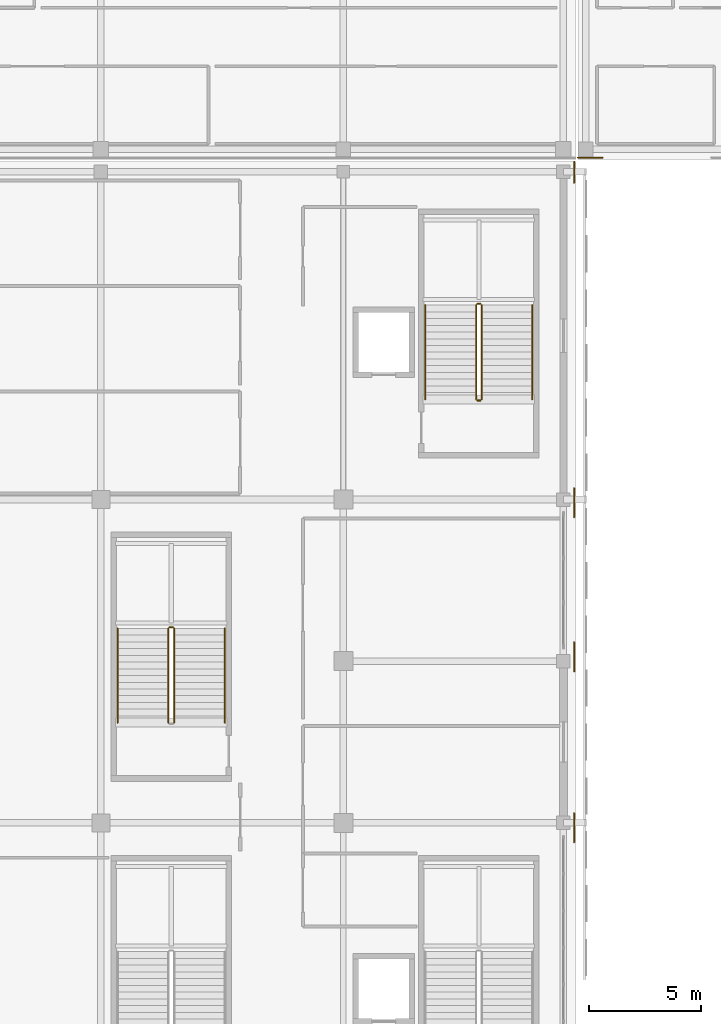
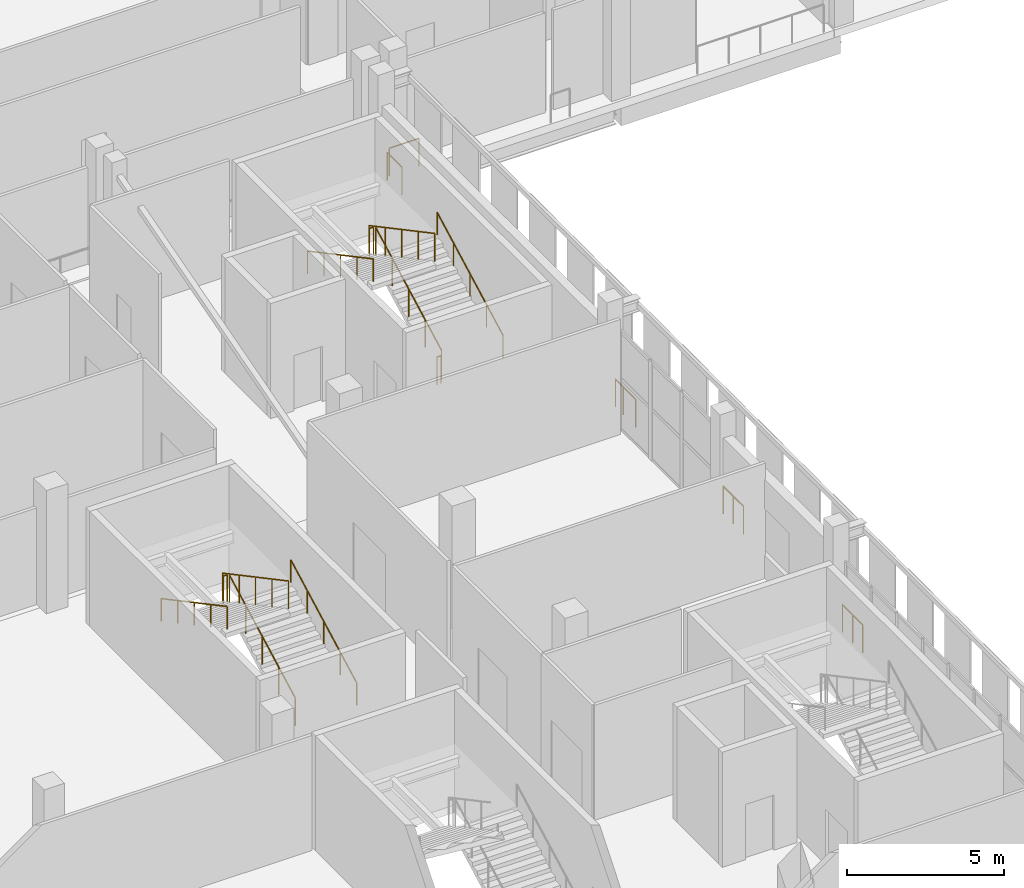
# One storey, part 135 of 142: 17 railings.
"""IFC4 building model written with IfcOpenShell, lengths in metres."""

from ifc_helpers import new_model, si_unit, direction, frame, origin, origin_2d, place, context, subcontext, project, spatial, circle, extrude, material, type_object, element, save


model = new_model("IFC4")

# Units and contexts
model_context = context("Model", 3, precision=1e-05, world=origin(), true_north=direction((0.0, 1.0)))
body_context = subcontext(model_context, "Body", "Model", "MODEL_VIEW")
ifc_project = project(units=[si_unit("LENGTHUNIT", "METRE"), si_unit("AREAUNIT", "SQUARE_METRE"), si_unit("VOLUMEUNIT", "CUBIC_METRE"), si_unit("PLANEANGLEUNIT", "RADIAN"), si_unit("MASSUNIT", "GRAM", prefix="KILO")], contexts=[model_context])

# Site, building, storey
site_placement = place(None, origin())
site = spatial("IfcSite", under=ifc_project, at=site_placement, CompositionType="ELEMENT")
building_placement = place(site_placement, origin())
building = spatial("IfcBuilding", under=site, at=building_placement, Name="Koshinbarg Plaza Stadium", CompositionType="ELEMENT")
storey_placement = place(building_placement, frame((0.0, 0.0, 10.199951171875)))
storey = spatial("IfcBuildingStorey", under=building, at=storey_placement, Name="L02", CompositionType="ELEMENT", Elevation=10.199951171875)

# Railings
ifc_material_1 = material(Name="Toughened laminated glass and stainless steel sightline balustrade", Category="steel")
railing_type_1 = type_object("IfcRailingType", Name="RL-BOWL-1100", PredefinedType="BALUSTRADE", material=ifc_material_1)
railing_1_placement = place(storey_placement, frame((218.875, 111.89990234375, 0.0)))
element("IfcRailing", 1, at=railing_1_placement, inside=storey, type_object=railing_type_1, Name="L02 deck edge safety balustrade 0148", PredefinedType="BALUSTRADE", context=body_context, shape_type="SweptSolid", body=[
    extrude(circle(Radius=0.02392578125, at=origin_2d()), frame((0.0, 0.0, 1.076171875), z_axis=(0.0, -1.0, 0.0), x_axis=(1.0, 0.0, 0.0)), (0.0, 0.0, 1.0), 0.796875),
    extrude(circle(Radius=0.02099609375, at=origin_2d()), origin(), (0.0, 0.0, 1.0), 1.052001953125),
    extrude(circle(Radius=0.02099609375, at=origin_2d()), frame((0.0, -0.796875, 0.0)), (0.0, 0.0, 1.0), 1.052001953125),
])
railing_2_placement = place(storey_placement, frame((218.875, 105.5341796875, 0.0)))
element("IfcRailing", 2, at=railing_2_placement, inside=storey, type_object=railing_type_1, Name="L02 deck edge safety balustrade 0149", PredefinedType="BALUSTRADE", context=body_context, shape_type="SweptSolid", body=[
    extrude(circle(Radius=0.02392578125, at=origin_2d()), frame((0.0, 0.0, 1.076171875), z_axis=(0.0, -1.0, 0.0), x_axis=(1.0, 0.0, 0.0)), (0.0, 0.0, 1.0), 1.295166015625),
    extrude(circle(Radius=0.02099609375, at=origin_2d()), origin(), (0.0, 0.0, 1.0), 1.052001953125),
    extrude(circle(Radius=0.02099609375, at=origin_2d()), frame((0.0, -0.6474609375, 0.0)), (0.0, 0.0, 1.0), 1.052001953125),
    extrude(circle(Radius=0.02099609375, at=origin_2d()), frame((0.0, -1.295166015625, 0.0)), (0.0, 0.0, 1.0), 1.052001953125),
])
railing_3_placement = place(storey_placement, frame((218.875, 97.923828125, 0.0)))
element("IfcRailing", 3, at=railing_3_placement, inside=storey, type_object=railing_type_1, Name="L02 deck edge safety balustrade 0150", PredefinedType="BALUSTRADE", context=body_context, shape_type="SweptSolid", body=[
    extrude(circle(Radius=0.02392578125, at=origin_2d()), frame((0.0, 0.0, 1.076171875), z_axis=(0.0, -1.0, 0.0), x_axis=(1.0, 0.0, 0.0)), (0.0, 0.0, 1.0), 1.29541015625),
    extrude(circle(Radius=0.02099609375, at=origin_2d()), origin(), (0.0, 0.0, 1.0), 1.052001953125),
    extrude(circle(Radius=0.02099609375, at=origin_2d()), frame((0.0, -0.647705078125, 0.0)), (0.0, 0.0, 1.0), 1.052001953125),
    extrude(circle(Radius=0.02099609375, at=origin_2d()), frame((0.0, -1.29541015625, 0.0)), (0.0, 0.0, 1.0), 1.052001953125),
])
railing_4_placement = place(storey_placement, frame((218.875, 126.955078125, 0.0)))
element("IfcRailing", 4, at=railing_4_placement, inside=storey, type_object=railing_type_1, Name="L02 deck edge safety balustrade 0154", PredefinedType="BALUSTRADE", context=body_context, shape_type="SweptSolid", body=[
    extrude(circle(Radius=0.02392578125, at=origin_2d()), frame((0.0, 0.0, 1.076171875), z_axis=(0.0, -1.0, 0.0), x_axis=(1.0, 0.0, 0.0)), (0.0, 0.0, 1.0), 0.9453125),
    extrude(circle(Radius=0.02099609375, at=origin_2d()), origin(), (0.0, 0.0, 1.0), 1.052001953125),
    extrude(circle(Radius=0.02099609375, at=origin_2d()), frame((0.0, -0.9453125, 0.0)), (0.0, 0.0, 1.0), 1.052001953125),
])
railing_5_placement = place(storey_placement, frame((218.875, 112.398193359375, 0.0)))
element("IfcRailing", 5, at=railing_5_placement, inside=storey, type_object=railing_type_1, Name="L02 deck edge safety balustrade 0155", PredefinedType="BALUSTRADE", context=body_context, shape_type="SweptSolid", body=[
    extrude(circle(Radius=0.02392578125, at=origin_2d()), frame((0.0, 0.0, 1.076171875), z_axis=(0.0, -1.0, 0.0), x_axis=(1.0, 0.0, 0.0)), (0.0, 0.0, 1.0), 0.498291015625),
    extrude(circle(Radius=0.02099609375, at=origin_2d()), origin(), (0.0, 0.0, 1.0), 1.052001953125),
    extrude(circle(Radius=0.02099609375, at=origin_2d()), frame((0.0, -0.498291015625, 0.0)), (0.0, 0.0, 1.0), 1.052001953125),
])
railing_6_placement = place(storey_placement, frame((220.144287109375, 127.125, 0.0)))
element("IfcRailing", 6, at=railing_6_placement, inside=storey, type_object=railing_type_1, Name="L02 deck edge safety balustrade 0178", PredefinedType="BALUSTRADE", context=body_context, shape_type="SweptSolid", body=[
    extrude(circle(Radius=0.02392578125, at=origin_2d()), frame((0.0, 0.0, 1.076171875), z_axis=(-1.0, 0.0, 0.0), x_axis=(0.0, -1.0, 0.0)), (0.0, 0.0, 1.0), 1.099365234375),
    extrude(circle(Radius=0.02099609375, at=origin_2d()), origin(), (0.0, 0.0, 1.0), 1.052001953125),
    extrude(circle(Radius=0.02099609375, at=origin_2d()), frame((-1.099365234375, 0.0, 0.0)), (0.0, 0.0, 1.0), 1.052001953125),
])
ifc_material_2 = material(Name="Galvanized painted steel guardrail", Category="steel")
railing_type_2 = type_object("IfcRailingType", Name="RL-GUARD-1100", PredefinedType="GUARDRAIL", material=ifc_material_2)
railing_7_placement = place(storey_placement, frame((214.760009765625, 116.360107421875, 0.16015625)))
element("IfcRailing", 7, at=railing_7_placement, inside=storey, type_object=railing_type_2, Name="L02 C10 stair guard 1", PredefinedType="GUARDRAIL", context=body_context, shape_type="SweptSolid", body=[
    extrude(circle(Radius=0.02392578125, at=origin_2d()), frame((0.0, 0.0, 1.076171875), z_axis=(0.0, 0.882351521365, 0.470590897432), x_axis=(-1.0, 0.0, 0.0)), (0.0, 0.0, 1.0), 4.760009765625),
    extrude(circle(Radius=0.02099609375, at=origin_2d()), origin(), (0.0, 0.0, 1.0), 1.052001953125),
    extrude(circle(Radius=0.02099609375, at=origin_2d()), frame((0.0, 1.050048828125, 0.56005859375)), (0.0, 0.0, 1.0), 1.052001953125),
    extrude(circle(Radius=0.02099609375, at=origin_2d()), frame((0.0, 2.10009765625, 1.1201171875)), (0.0, 0.0, 1.0), 1.052001953125),
    extrude(circle(Radius=0.02099609375, at=origin_2d()), frame((0.0, 3.14990234375, 1.679931640625)), (0.0, 0.0, 1.0), 1.052001953125),
    extrude(circle(Radius=0.02099609375, at=origin_2d()), frame((0.0, 4.199951171875, 2.239990234375)), (0.0, 0.0, 1.0), 1.052001953125),
])
railing_8_placement = place(storey_placement, frame((214.7099609375, 120.610107421875, 2.400146484375)))
element("IfcRailing", 8, at=railing_8_placement, inside=storey, type_object=railing_type_2, Name="L02 C10 stair guard 2", PredefinedType="GUARDRAIL", context=body_context, shape_type="SweptSolid", body=[
    extrude(circle(Radius=0.02392578125, at=origin_2d()), frame((0.0, 0.0, 1.076171875), z_axis=(-1.0, 0.0, 0.0), x_axis=(0.0, -1.0, 0.0)), (0.0, 0.0, 1.0), 0.14990234375),
    extrude(circle(Radius=0.02099609375, at=origin_2d()), origin(), (0.0, 0.0, 1.0), 1.052001953125),
    extrude(circle(Radius=0.02099609375, at=origin_2d()), frame((-0.14990234375, 0.0, 0.0)), (0.0, 0.0, 1.0), 1.052001953125),
])
railing_9_placement = place(storey_placement, frame((214.510009765625, 120.56005859375, 2.56005859375)))
element("IfcRailing", 9, at=railing_9_placement, inside=storey, type_object=railing_type_2, Name="L02 C10 stair guard 3", PredefinedType="GUARDRAIL", context=body_context, shape_type="SweptSolid", body=[
    extrude(circle(Radius=0.02392578125, at=origin_2d()), frame((0.0, 0.0, 1.076171875), z_axis=(0.0, -0.882351521365, 0.470590897432), x_axis=(1.0, 0.0, 0.0)), (0.0, 0.0, 1.0), 4.760009765625),
    extrude(circle(Radius=0.02099609375, at=origin_2d()), origin(), (0.0, 0.0, 1.0), 1.052001953125),
    extrude(circle(Radius=0.02099609375, at=origin_2d()), frame((0.0, -1.050048828125, 0.56005859375)), (0.0, 0.0, 1.0), 1.052001953125),
    extrude(circle(Radius=0.02099609375, at=origin_2d()), frame((0.0, -2.10009765625, 1.1201171875)), (0.0, 0.0, 1.0), 1.052001953125),
    extrude(circle(Radius=0.02099609375, at=origin_2d()), frame((0.0, -3.14990234375, 1.679931640625)), (0.0, 0.0, 1.0), 1.052001953125),
    extrude(circle(Radius=0.02099609375, at=origin_2d()), frame((0.0, -4.199951171875, 2.239990234375)), (0.0, 0.0, 1.0), 1.052001953125),
])
railing_10_placement = place(storey_placement, frame((214.7099609375, 116.31005859375, 0.0)))
element("IfcRailing", 10, at=railing_10_placement, inside=storey, type_object=railing_type_2, Name="L02 C10 stair guard 4", PredefinedType="GUARDRAIL", context=body_context, shape_type="SweptSolid", body=[
    extrude(circle(Radius=0.02392578125, at=origin_2d()), frame((0.0, 0.0, 1.076171875), z_axis=(-1.0, 0.0, 0.0), x_axis=(0.0, -1.0, 0.0)), (0.0, 0.0, 1.0), 0.14990234375),
    extrude(circle(Radius=0.02099609375, at=origin_2d()), origin(), (0.0, 0.0, 1.0), 1.052001953125),
    extrude(circle(Radius=0.02099609375, at=origin_2d()), frame((-0.14990234375, 0.0, 0.0)), (0.0, 0.0, 1.0), 1.052001953125),
])
railing_11_placement = place(storey_placement, frame((201.06005859375, 101.9599609375, 0.16015625)))
element("IfcRailing", 11, at=railing_11_placement, inside=storey, type_object=railing_type_2, Name="L02 VX12 stair guard 1", PredefinedType="GUARDRAIL", context=body_context, shape_type="SweptSolid", body=[
    extrude(circle(Radius=0.02392578125, at=origin_2d()), frame((0.0, 0.0, 1.076171875), z_axis=(0.0, 0.882351521365, 0.470590897432), x_axis=(-1.0, 0.0, 0.0)), (0.0, 0.0, 1.0), 4.760009765625),
    extrude(circle(Radius=0.02099609375, at=origin_2d()), origin(), (0.0, 0.0, 1.0), 1.052001953125),
    extrude(circle(Radius=0.02099609375, at=origin_2d()), frame((0.0, 1.050048828125, 0.56005859375)), (0.0, 0.0, 1.0), 1.052001953125),
    extrude(circle(Radius=0.02099609375, at=origin_2d()), frame((0.0, 2.10009765625, 1.1201171875)), (0.0, 0.0, 1.0), 1.052001953125),
    extrude(circle(Radius=0.02099609375, at=origin_2d()), frame((0.0, 3.14990234375, 1.679931640625)), (0.0, 0.0, 1.0), 1.052001953125),
    extrude(circle(Radius=0.02099609375, at=origin_2d()), frame((0.0, 4.199951171875, 2.239990234375)), (0.0, 0.0, 1.0), 1.052001953125),
])
railing_12_placement = place(storey_placement, frame((201.010009765625, 106.2099609375, 2.400146484375)))
element("IfcRailing", 12, at=railing_12_placement, inside=storey, type_object=railing_type_2, Name="L02 VX12 stair guard 2", PredefinedType="GUARDRAIL", context=body_context, shape_type="SweptSolid", body=[
    extrude(circle(Radius=0.02392578125, at=origin_2d()), frame((0.0, 0.0, 1.076171875), z_axis=(-1.0, 0.0, 0.0), x_axis=(0.0, -1.0, 0.0)), (0.0, 0.0, 1.0), 0.14990234375),
    extrude(circle(Radius=0.02099609375, at=origin_2d()), origin(), (0.0, 0.0, 1.0), 1.052001953125),
    extrude(circle(Radius=0.02099609375, at=origin_2d()), frame((-0.14990234375, 0.0, 0.0)), (0.0, 0.0, 1.0), 1.052001953125),
])
railing_13_placement = place(storey_placement, frame((200.81005859375, 106.159912109375, 2.56005859375)))
element("IfcRailing", 13, at=railing_13_placement, inside=storey, type_object=railing_type_2, Name="L02 VX12 stair guard 3", PredefinedType="GUARDRAIL", context=body_context, shape_type="SweptSolid", body=[
    extrude(circle(Radius=0.02392578125, at=origin_2d()), frame((0.0, 0.0, 1.076171875), z_axis=(0.0, -0.882351521365, 0.470590897432), x_axis=(1.0, 0.0, 0.0)), (0.0, 0.0, 1.0), 4.760009765625),
    extrude(circle(Radius=0.02099609375, at=origin_2d()), origin(), (0.0, 0.0, 1.0), 1.052001953125),
    extrude(circle(Radius=0.02099609375, at=origin_2d()), frame((0.0, -1.050048828125, 0.56005859375)), (0.0, 0.0, 1.0), 1.052001953125),
    extrude(circle(Radius=0.02099609375, at=origin_2d()), frame((0.0, -2.10009765625, 1.1201171875)), (0.0, 0.0, 1.0), 1.052001953125),
    extrude(circle(Radius=0.02099609375, at=origin_2d()), frame((0.0, -3.14990234375, 1.679931640625)), (0.0, 0.0, 1.0), 1.052001953125),
    extrude(circle(Radius=0.02099609375, at=origin_2d()), frame((0.0, -4.199951171875, 2.239990234375)), (0.0, 0.0, 1.0), 1.052001953125),
])
ifc_material_3 = material(Name="Brushed stainless steel handrail", Category="steel")
railing_type_3 = type_object("IfcRailingType", Name="RL-HAND-900", PredefinedType="HANDRAIL", material=ifc_material_3)
railing_14_placement = place(storey_placement, frame((217.02001953125, 116.360107421875, 0.16015625)))
element("IfcRailing", 14, at=railing_14_placement, inside=storey, type_object=railing_type_3, Name="L02 C10 stair handrail 1", PredefinedType="HANDRAIL", context=body_context, shape_type="SweptSolid", body=[
    extrude(circle(Radius=0.02392578125, at=origin_2d()), frame((0.0, 0.0, 0.8759765625), z_axis=(0.0, 0.882351521365, 0.470590897432), x_axis=(-1.0, 0.0, 0.0)), (0.0, 0.0, 1.0), 4.760009765625),
    extrude(circle(Radius=0.02099609375, at=origin_2d()), origin(), (0.0, 0.0, 1.0), 0.851806640625),
    extrude(circle(Radius=0.02099609375, at=origin_2d()), frame((0.0, 1.050048828125, 0.56005859375)), (0.0, 0.0, 1.0), 0.851806640625),
    extrude(circle(Radius=0.02099609375, at=origin_2d()), frame((0.0, 2.10009765625, 1.1201171875)), (0.0, 0.0, 1.0), 0.851806640625),
    extrude(circle(Radius=0.02099609375, at=origin_2d()), frame((0.0, 3.14990234375, 1.679931640625)), (0.0, 0.0, 1.0), 0.851806640625),
    extrude(circle(Radius=0.02099609375, at=origin_2d()), frame((0.0, 4.199951171875, 2.239990234375)), (0.0, 0.0, 1.0), 0.851806640625),
])
railing_15_placement = place(storey_placement, frame((212.25, 120.56005859375, 2.56005859375)))
element("IfcRailing", 15, at=railing_15_placement, inside=storey, type_object=railing_type_3, Name="L02 C10 stair handrail 2", PredefinedType="HANDRAIL", context=body_context, shape_type="SweptSolid", body=[
    extrude(circle(Radius=0.02392578125, at=origin_2d()), frame((0.0, 0.0, 0.8759765625), z_axis=(0.0, -0.882351521365, 0.470590897432), x_axis=(1.0, 0.0, 0.0)), (0.0, 0.0, 1.0), 4.760009765625),
    extrude(circle(Radius=0.02099609375, at=origin_2d()), origin(), (0.0, 0.0, 1.0), 0.851806640625),
    extrude(circle(Radius=0.02099609375, at=origin_2d()), frame((0.0, -1.050048828125, 0.56005859375)), (0.0, 0.0, 1.0), 0.851806640625),
    extrude(circle(Radius=0.02099609375, at=origin_2d()), frame((0.0, -2.10009765625, 1.1201171875)), (0.0, 0.0, 1.0), 0.851806640625),
    extrude(circle(Radius=0.02099609375, at=origin_2d()), frame((0.0, -3.14990234375, 1.679931640625)), (0.0, 0.0, 1.0), 0.851806640625),
    extrude(circle(Radius=0.02099609375, at=origin_2d()), frame((0.0, -4.199951171875, 2.239990234375)), (0.0, 0.0, 1.0), 0.851806640625),
])
railing_16_placement = place(storey_placement, frame((203.320068359375, 101.9599609375, 0.16015625)))
element("IfcRailing", 16, at=railing_16_placement, inside=storey, type_object=railing_type_3, Name="L02 VX12 stair handrail 1", PredefinedType="HANDRAIL", context=body_context, shape_type="SweptSolid", body=[
    extrude(circle(Radius=0.02392578125, at=origin_2d()), frame((0.0, 0.0, 0.8759765625), z_axis=(0.0, 0.882351521365, 0.470590897432), x_axis=(-1.0, 0.0, 0.0)), (0.0, 0.0, 1.0), 4.760009765625),
    extrude(circle(Radius=0.02099609375, at=origin_2d()), origin(), (0.0, 0.0, 1.0), 0.851806640625),
    extrude(circle(Radius=0.02099609375, at=origin_2d()), frame((0.0, 1.050048828125, 0.56005859375)), (0.0, 0.0, 1.0), 0.851806640625),
    extrude(circle(Radius=0.02099609375, at=origin_2d()), frame((0.0, 2.10009765625, 1.1201171875)), (0.0, 0.0, 1.0), 0.851806640625),
    extrude(circle(Radius=0.02099609375, at=origin_2d()), frame((0.0, 3.14990234375, 1.679931640625)), (0.0, 0.0, 1.0), 0.851806640625),
    extrude(circle(Radius=0.02099609375, at=origin_2d()), frame((0.0, 4.199951171875, 2.239990234375)), (0.0, 0.0, 1.0), 0.851806640625),
])
railing_17_placement = place(storey_placement, frame((198.550048828125, 106.159912109375, 2.56005859375)))
element("IfcRailing", 17, at=railing_17_placement, inside=storey, type_object=railing_type_3, Name="L02 VX12 stair handrail 2", PredefinedType="HANDRAIL", context=body_context, shape_type="SweptSolid", body=[
    extrude(circle(Radius=0.02392578125, at=origin_2d()), frame((0.0, 0.0, 0.8759765625), z_axis=(0.0, -0.882351521365, 0.470590897432), x_axis=(1.0, 0.0, 0.0)), (0.0, 0.0, 1.0), 4.760009765625),
    extrude(circle(Radius=0.02099609375, at=origin_2d()), origin(), (0.0, 0.0, 1.0), 0.851806640625),
    extrude(circle(Radius=0.02099609375, at=origin_2d()), frame((0.0, -1.050048828125, 0.56005859375)), (0.0, 0.0, 1.0), 0.851806640625),
    extrude(circle(Radius=0.02099609375, at=origin_2d()), frame((0.0, -2.10009765625, 1.1201171875)), (0.0, 0.0, 1.0), 0.851806640625),
    extrude(circle(Radius=0.02099609375, at=origin_2d()), frame((0.0, -3.14990234375, 1.679931640625)), (0.0, 0.0, 1.0), 0.851806640625),
    extrude(circle(Radius=0.02099609375, at=origin_2d()), frame((0.0, -4.199951171875, 2.239990234375)), (0.0, 0.0, 1.0), 0.851806640625),
])

save(model, "model.ifc")
